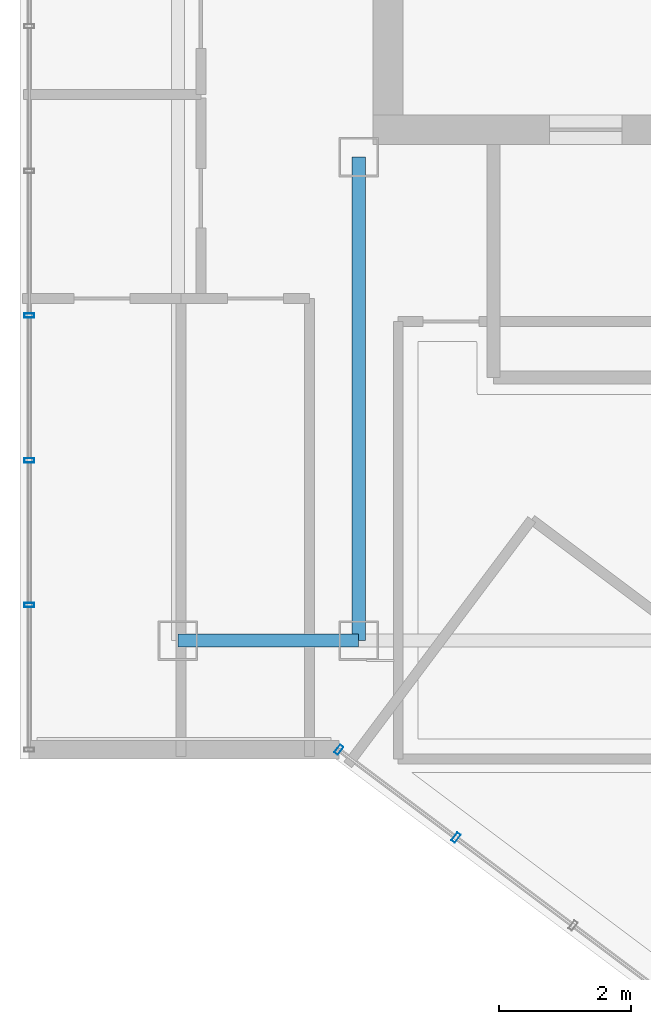
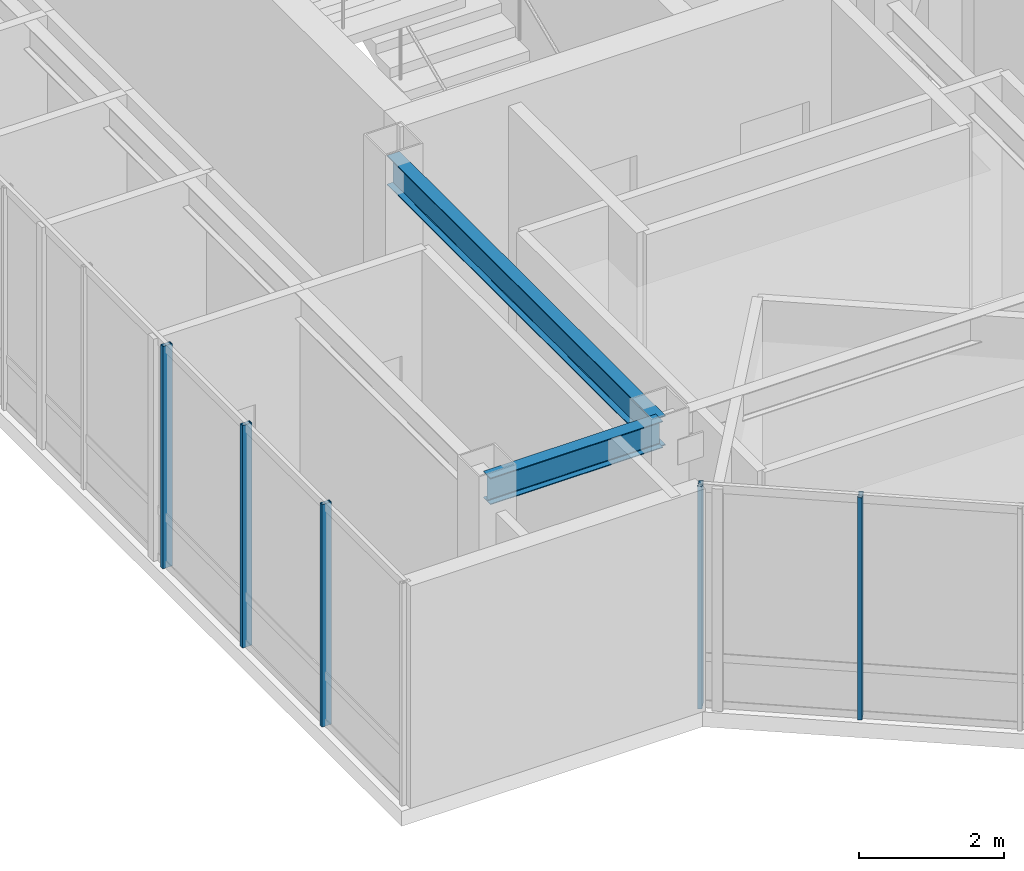
# One storey, part 5 of 30: 5 members, 2 beams, 2 elements without a shape of their own.
"""IFC4 building model written with IfcOpenShell, lengths in metres."""

from ifc_helpers import new_model, si_unit, direction, frame, origin, origin_2d, place, context, subcontext, project, spatial, hollow_rectangle, i_section, extrude, material, layer, layer_set, material_profile, profile_set, type_object, element, aggregate, save


model = new_model("IFC4")

# Units and contexts
model_context = context("Model", 3, precision=1e-05, world=origin(), true_north=direction((0.0, 1.0)))
body_context = subcontext(model_context, "Body", "Model", "MODEL_VIEW")
ifc_project = project(units=[si_unit("LENGTHUNIT", "METRE"), si_unit("AREAUNIT", "SQUARE_METRE"), si_unit("VOLUMEUNIT", "CUBIC_METRE"), si_unit("PLANEANGLEUNIT", "RADIAN"), si_unit("MASSUNIT", "GRAM", prefix="KILO")], contexts=[model_context])

# Site, building, storey
site_placement = place(None, origin())
site = spatial("IfcSite", under=ifc_project, at=site_placement, CompositionType="ELEMENT")
building_placement = place(site_placement, origin())
building = spatial("IfcBuilding", under=site, at=building_placement, Name="Hatsunagi Terrace Concourse", CompositionType="ELEMENT")
storey_placement = place(building_placement, frame((0.0, 0.0, 273.949951171875)))
storey = spatial("IfcBuildingStorey", under=building, at=storey_placement, Name="L72", CompositionType="ELEMENT", Elevation=273.949951171875)

# Beam
ifc_material_1 = material(Name="Steel SN490B", Category="steel")
ifc_material_profile_1 = material_profile(ifc_material_1, i_section(OverallWidth=0.199951171875, OverallDepth=0.5, WebThickness=0.010009765625, FlangeThickness=0.01611328125, FilletRadius=0.01611328125, at=origin_2d()), Name="H-500x200x10x16")
ifc_profile_set_1 = profile_set([ifc_material_profile_1], Name="Steel SN490B")
beam_type_1 = type_object("IfcBeamType", Name="CrownFloorGirder_H_500x200", PredefinedType="BEAM", material=ifc_profile_set_1)
beam_1_placement = place(storey_placement, frame((25.550048828125, 25.199951171875, 3.5), z_axis=(0.0, 1.0, 0.0), x_axis=(-1.0, 0.0, 0.0)))
element("IfcBeam", 1, at=beam_1_placement, inside=storey, type_object=beam_type_1, Name="Beam G-07 BM-L72-K1CA", PredefinedType="BEAM", context=body_context, shape_type="SweptSolid", body=[
    extrude(i_section(OverallWidth=0.199951171875, OverallDepth=0.5, WebThickness=0.010009765625, FlangeThickness=0.01611328125, FilletRadius=0.01611328125, at=origin_2d()), origin(), (0.0, 0.0, 1.0), 7.35009765625),
])

# Curtain wall, members
ifc_material_2 = material(Name="Anodised Aluminium Alloy 6063-T5", Category="aluminium")
ifc_layer = layer(ifc_material_2, 0.199951171875)
ifc_layer_set = layer_set([ifc_layer], Name="CrownWintergarden_CW06")
curtain_wall_type = type_object("IfcCurtainWallType", Name="CrownWintergarden_CW06", PredefinedType="NOTDEFINED", material=ifc_layer_set)
curtain_wall_1_placement = place(storey_placement, origin())
curtain_wall_1 = element("IfcCurtainWall", 2, at=curtain_wall_1_placement, inside=storey, type_object=curtain_wall_type, Name="Unitised Curtain Wall CW-06 CW-L72-05", PredefinedType="NOTDEFINED")
ifc_material_3 = material(Name="Anodised Aluminium Alloy 6063-T5", Category="aluminium")
ifc_material_profile_2 = material_profile(ifc_material_3, hollow_rectangle(XDim=0.06494140625, YDim=0.14990234375, WallThickness=0.00390625, at=origin_2d()), Name="ALU-MUL-150x65x4")
ifc_profile_set_2 = profile_set([ifc_material_profile_2], Name="Anodised Aluminium Alloy 6063-T5")
member_type = type_object("IfcMemberType", Name="CurtainWallMullion_Crown_150x65", PredefinedType="MULLION", material=ifc_profile_set_2)
member_1_placement = place(storey_placement, frame((27.029052734375, 22.2041015625, 0.0), z_axis=(0.0, 0.0, 1.0), x_axis=(-0.800007305671, 0.599990258982, 0.0)))
member_1 = element("IfcMember", 3, at=member_1_placement, type_object=member_type, Name="Curtain Wall Mullion MUL-03", PredefinedType="MULLION", context=body_context, shape_type="SweptSolid", body=[
    extrude(hollow_rectangle(XDim=0.06494140625, YDim=0.14990234375, WallThickness=0.00390625, at=origin_2d()), origin(), (0.0, 0.0, 1.0), 3.75),
])
member_2_placement = place(storey_placement, frame((25.2470703125, 23.5400390625, 0.0), z_axis=(0.0, 0.0, 1.0), x_axis=(-0.800007305671, 0.599990258982, 0.0)))
member_2 = element("IfcMember", 4, at=member_2_placement, type_object=member_type, Name="Curtain Wall Mullion MUL-03", PredefinedType="MULLION", context=body_context, shape_type="SweptSolid", body=[
    extrude(hollow_rectangle(XDim=0.06494140625, YDim=0.14990234375, WallThickness=0.00390625, at=origin_2d()), origin(), (0.0, 0.0, 1.0), 3.75),
])
aggregate(curtain_wall_1, [member_1, member_2])

curtain_wall_2_placement = place(storey_placement, origin())
curtain_wall_2 = element("IfcCurtainWall", 5, at=curtain_wall_2_placement, inside=storey, type_object=curtain_wall_type, Name="Unitised Curtain Wall CW-06 CW-L72-07", PredefinedType="NOTDEFINED")
member_3_placement = place(storey_placement, frame((20.5400390625, 25.739990234375, 0.0), z_axis=(0.0, 0.0, 1.0), x_axis=(0.0, 1.0, 0.0)))
member_3 = element("IfcMember", 6, at=member_3_placement, type_object=member_type, Name="Curtain Wall Mullion MUL-03", PredefinedType="MULLION", context=body_context, shape_type="SweptSolid", body=[
    extrude(hollow_rectangle(XDim=0.06494140625, YDim=0.14990234375, WallThickness=0.00390625, at=origin_2d()), origin(), (0.0, 0.0, 1.0), 3.75),
])
member_4_placement = place(storey_placement, frame((20.5400390625, 27.93994140625, 0.0), z_axis=(0.0, 0.0, 1.0), x_axis=(0.0, 1.0, 0.0)))
member_4 = element("IfcMember", 7, at=member_4_placement, type_object=member_type, Name="Curtain Wall Mullion MUL-03", PredefinedType="MULLION", context=body_context, shape_type="SweptSolid", body=[
    extrude(hollow_rectangle(XDim=0.06494140625, YDim=0.14990234375, WallThickness=0.00390625, at=origin_2d()), origin(), (0.0, 0.0, 1.0), 3.75),
])
member_5_placement = place(storey_placement, frame((20.5400390625, 30.14111328125, 0.0), z_axis=(0.0, 0.0, 1.0), x_axis=(0.0, 1.0, 0.0)))
member_5 = element("IfcMember", 8, at=member_5_placement, type_object=member_type, Name="Curtain Wall Mullion MUL-03", PredefinedType="MULLION", context=body_context, shape_type="SweptSolid", body=[
    extrude(hollow_rectangle(XDim=0.06494140625, YDim=0.14990234375, WallThickness=0.00390625, at=origin_2d()), origin(), (0.0, 0.0, 1.0), 3.75),
])
aggregate(curtain_wall_2, [member_3, member_4, member_5])

# Beam
ifc_material_4 = material(Name="Steel SN490B", Category="steel")
ifc_material_profile_3 = material_profile(ifc_material_4, i_section(OverallWidth=0.199951171875, OverallDepth=0.449951171875, WebThickness=0.009033203125, FlangeThickness=0.013916015625, FilletRadius=0.01611328125, at=origin_2d()), Name="H-450x200x9x14")
ifc_profile_set_3 = profile_set([ifc_material_profile_3], Name="Steel SN490B")
beam_type_2 = type_object("IfcBeamType", Name="PerimeterSpandrel_H_450x200", PredefinedType="SPANDREL", material=ifc_profile_set_3)
beam_2_placement = place(storey_placement, frame((22.800048828125, 25.199951171875, 3.525146484375), z_axis=(1.0, 0.0, 0.0), x_axis=(0.0, 1.0, 0.0)))
element("IfcBeam", 9, at=beam_2_placement, inside=storey, type_object=beam_type_2, Name="Beam SP-02 BM-L72-WS-22", PredefinedType="SPANDREL", context=body_context, shape_type="SweptSolid", body=[
    extrude(i_section(OverallWidth=0.199951171875, OverallDepth=0.449951171875, WebThickness=0.009033203125, FlangeThickness=0.013916015625, FilletRadius=0.01611328125, at=origin_2d()), origin(), (0.0, 0.0, 1.0), 2.75),
])

save(model, "model.ifc")
